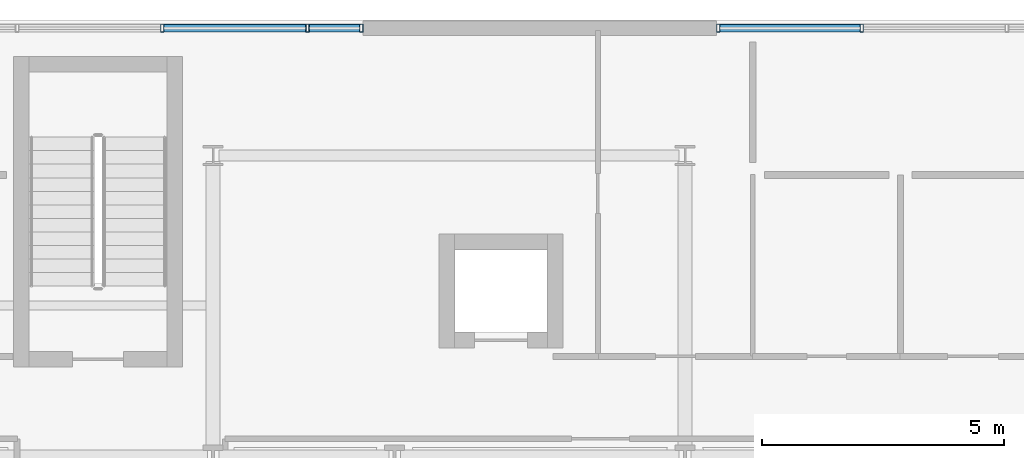
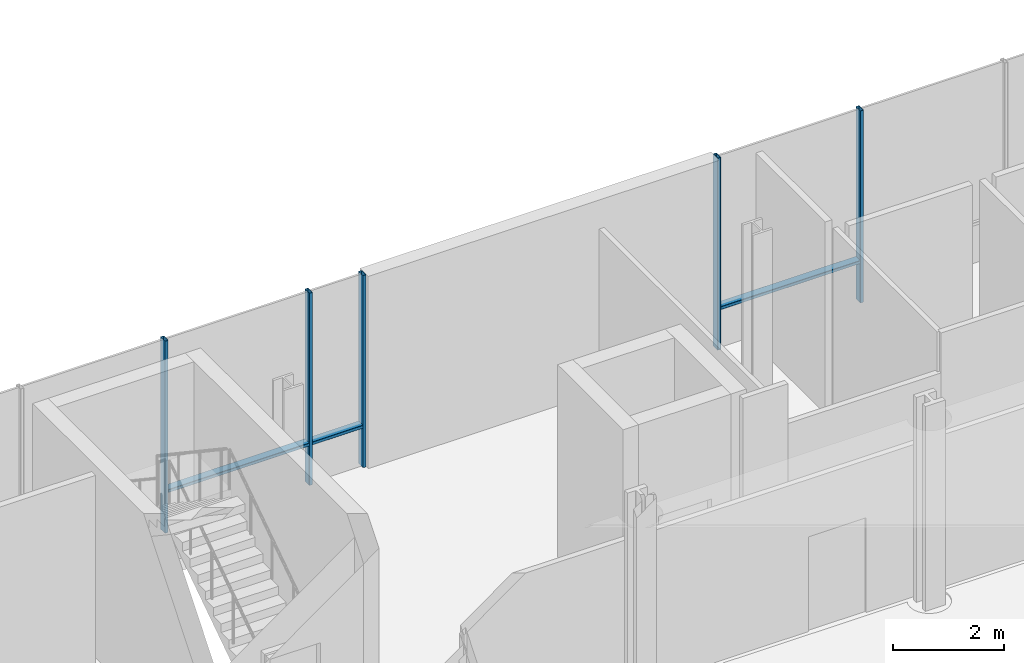
# One storey, part 11 of 25: 8 members, 2 elements without a shape of their own.
"""IFC4 building model written with IfcOpenShell, lengths in metres."""

import ifcopenshell
import ifcopenshell.guid

model = None  # the IFC model being written
_history = None  # IfcOwnerHistory: only IFC2X3 demands one
_inside = {}  # id of a spatial element -> (the spatial element, [elements in it])
_under = {}  # id of a project, library or spatial element -> (it, [spatial elements below it])
_declared = {}  # id of a project -> (the project, [libraries it declares])
_typed = {}  # id of a type object -> (the type object, [elements of that type])
_made_of = {}  # id of a material, layer set ... -> (it, [elements and type objects made of it])


def new_model(schema):
    """Start an empty IFC model of exactly this schema.

    Asked for "IFC4X3", IfcOpenShell would pick the latest addendum, in which some entities
    have other attributes; the version numbers below select the first issue.
    IFC2X3 requires an IfcOwnerHistory on every rooted entity: one is made here for all.
    """
    global model, _history
    if schema == "IFC4X3":
        model = ifcopenshell.file(schema_version=(4, 3, 0, 0))
    else:
        model = ifcopenshell.file(schema=schema)
    _inside.clear()
    _under.clear()
    _declared.clear()
    _typed.clear()
    _made_of.clear()
    _history = None
    if model.schema == "IFC2X3":
        org = make("IfcOrganization", Name="unknown")
        user = make(
            "IfcPersonAndOrganization",
            ThePerson=make("IfcPerson", FamilyName="unknown"),
            TheOrganization=org,
        )
        app = make(
            "IfcApplication",
            ApplicationDeveloper=org,
            Version="unknown",
            ApplicationFullName="unknown",
            ApplicationIdentifier="unknown",
        )
        _history = make(
            "IfcOwnerHistory",
            OwningUser=user,
            OwningApplication=app,
            ChangeAction="ADDED",
            CreationDate=0,
        )
    return model


def make(cls, **values):
    """One entity of the class cls with the attributes given. An attribute that is None is left unset."""
    return model.create_entity(
        cls, **{name: value for name, value in values.items() if value is not None}
    )


def rooted(cls, **values):
    """An entity with a GlobalId (a new one), such as an element, a storey or a relation."""
    return make(cls, GlobalId=ifcopenshell.guid.new(), OwnerHistory=_history, **values)


def si_unit(unit_type, name, prefix=None):
    """IfcSIUnit, for example si_unit("LENGTHUNIT", "METRE", prefix="MILLI")."""
    return make("IfcSIUnit", UnitType=unit_type, Prefix=prefix, Name=name)


def assignment(units):
    """IfcUnitAssignment: the units of a project."""
    return None if units is None else make("IfcUnitAssignment", Units=units)


def point(xyz):
    """IfcCartesianPoint."""
    return None if xyz is None else make("IfcCartesianPoint", Coordinates=xyz)


def direction(xyz):
    """IfcDirection."""
    return None if xyz is None else make("IfcDirection", DirectionRatios=xyz)


def frame(location, z_axis=None, x_axis=None):
    """IfcAxis2Placement3D, a coordinate frame: its origin and axes. An axis left out is left unset."""
    return make(
        "IfcAxis2Placement3D",
        Location=point(location),
        Axis=direction(z_axis),
        RefDirection=direction(x_axis),
    )


def frame_2d(location, x_axis=None):
    """IfcAxis2Placement2D, a coordinate frame in the plane: its origin and x axis."""
    return make(
        "IfcAxis2Placement2D", Location=point(location), RefDirection=direction(x_axis)
    )


def origin():
    """The frame at (0, 0, 0) with its axes left unset."""
    return frame((0.0, 0.0, 0.0))


def origin_2d():
    """The frame at (0, 0) in the plane with its x axis left unset."""
    return frame_2d((0.0, 0.0))


def place(relative_to, where):
    """IfcLocalPlacement: puts the frame where relative to a parent placement (None: the world)."""
    return make(
        "IfcLocalPlacement", PlacementRelTo=relative_to, RelativePlacement=where
    )


def context(
    kind, dimensions, precision=None, world=None, true_north=None, identifier=None
):
    """IfcGeometricRepresentationContext, for example the 3D "Model" context."""
    return make(
        "IfcGeometricRepresentationContext",
        ContextIdentifier=identifier,
        ContextType=kind,
        CoordinateSpaceDimension=dimensions,
        Precision=precision,
        WorldCoordinateSystem=world,
        TrueNorth=true_north,
    )


def subcontext(parent, identifier, kind, view, scale=None):
    """IfcGeometricRepresentationSubContext, for example "Body" below "Model"."""
    return make(
        "IfcGeometricRepresentationSubContext",
        ContextIdentifier=identifier,
        ContextType=kind,
        ParentContext=parent,
        TargetScale=scale,
        TargetView=view,
    )


def project(units=None, contexts=None):
    """IfcProject with its units and contexts."""
    return rooted(
        "IfcProject",
        Name="project",
        RepresentationContexts=contexts,
        UnitsInContext=assignment(units),
    )


def spatial(cls, under=None, at=None, **own):
    """A site, building, storey or space (cls), placed at a placement, below another one or the project."""
    s = rooted(cls, ObjectPlacement=at, **own)
    if under is not None:
        _under.setdefault(under.id(), (under, []))[1].append(s)
    return s


def profile(cls, at=None, kind="AREA", **sizes):
    """A parametric profile (cls). Its sizes go by their IFC names, for example OverallWidth=200.0."""
    return make(cls, ProfileType=kind, Position=at, **sizes)


def hollow_rectangle(**sizes):
    """IfcRectangleHollowProfileDef."""
    return profile("IfcRectangleHollowProfileDef", **sizes)


def extrude(swept, where, along, depth):
    """IfcExtrudedAreaSolid: the profile swept, set in the frame where, extruded along a direction by depth."""
    return make(
        "IfcExtrudedAreaSolid",
        SweptArea=swept,
        Position=where,
        ExtrudedDirection=direction(along),
        Depth=depth,
    )


def shape(context_of_items, identifier, shape_type, items):
    """IfcShapeRepresentation: the items that make up one representation, for example the "Body"."""
    return make(
        "IfcShapeRepresentation",
        ContextOfItems=context_of_items,
        RepresentationIdentifier=identifier,
        RepresentationType=shape_type,
        Items=items,
    )


def material(Name=None, Category=None):
    """IfcMaterial."""
    return make("IfcMaterial", Name=Name, Category=Category)


def layer(
    of_material, thickness, ventilated=None, Name=None, Category=None, Priority=None
):
    """IfcMaterialLayer: one layer of a wall or slab, of a material (None: an air gap)."""
    return make(
        "IfcMaterialLayer",
        Material=of_material,
        LayerThickness=thickness,
        IsVentilated=ventilated,
        Name=Name,
        Category=Category,
        Priority=Priority,
    )


def layer_set(layers, Name=None):
    """IfcMaterialLayerSet."""
    return make("IfcMaterialLayerSet", MaterialLayers=layers, LayerSetName=Name)


def material_profile(
    of_material, cross_section, Name=None, Category=None, Priority=None
):
    """IfcMaterialProfile: a cross section and its material."""
    return make(
        "IfcMaterialProfile",
        Name=Name,
        Material=of_material,
        Profile=cross_section,
        Priority=Priority,
        Category=Category,
    )


def profile_set(profiles, Name=None, composite=None):
    """IfcMaterialProfileSet."""
    return make(
        "IfcMaterialProfileSet",
        Name=Name,
        MaterialProfiles=profiles,
        CompositeProfile=composite,
    )


def made_of(thing, what):
    """Note that an element or type object is made of a material, layer set ...; save() writes the relation."""
    if what is not None:
        _made_of.setdefault(what.id(), (what, []))[1].append(thing)
    return thing


def type_object(cls, material=None, **own):
    """A type object (cls), such as IfcWallType, which elements share."""
    return made_of(rooted(cls, **own), material)


def element(
    cls,
    number,
    at=None,
    inside=None,
    cuts=None,
    type_object=None,
    material=None,
    context=None,
    identifier="Body",
    shape_type=None,
    held_by="IfcProductDefinitionShape",
    body=None,
    shapes=None,
    **own,
):
    """One element of the class cls, such as IfcWall. Its Tag is "e" and its number.

    at: its placement. inside: the storey or other place that contains it. cuts: it is an
    opening in that element (IfcRelVoidsElement). A single representation is given by context,
    identifier, shape_type and body (its items); several are given by shapes. held_by: the class
    of the entity that holds the representations. save() writes the other relations.
    """
    e = rooted(cls, Tag="e%d" % number, ObjectPlacement=at, **own)
    if body is not None:
        shapes = [shape(context, identifier, shape_type, body)]
    if shapes is not None:
        e.Representation = make(held_by, Representations=shapes)
    if inside is not None:
        _inside.setdefault(inside.id(), (inside, []))[1].append(e)
    if cuts is not None:
        rooted(
            "IfcRelVoidsElement", RelatingBuildingElement=cuts, RelatedOpeningElement=e
        )
    if type_object is not None:
        _typed.setdefault(type_object.id(), (type_object, []))[1].append(e)
    return made_of(e, material)


def aggregate(whole, parts):
    """IfcRelAggregates: a whole, such as a stair, and the parts it consists of."""
    return rooted("IfcRelAggregates", RelatingObject=whole, RelatedObjects=parts)


def save(model, path):
    """Write the relations noted so far, then the file.

    IfcRelAggregates (storeys below a building ...), IfcRelContainedInSpatialStructure (elements
    in a storey), IfcRelDefinesByType, IfcRelAssociatesMaterial and IfcRelDeclares: one each for
    every whole, place, type object, material and project.
    """
    for whole, parts in _under.values():
        aggregate(whole, parts)
    for where, things in _inside.values():
        rooted(
            "IfcRelContainedInSpatialStructure",
            RelatedElements=things,
            RelatingStructure=where,
        )
    for kind, things in _typed.values():
        rooted("IfcRelDefinesByType", RelatedObjects=things, RelatingType=kind)
    for what, things in _made_of.values():
        rooted("IfcRelAssociatesMaterial", RelatedObjects=things, RelatingMaterial=what)
    for by, libraries in _declared.values():
        rooted("IfcRelDeclares", RelatingContext=by, RelatedDefinitions=libraries)
    model.write(path)


model = new_model("IFC4")

# Units and contexts
model_context = context("Model", 3, precision=1e-05, world=origin(), true_north=direction((0.0, 1.0)))
body_context = subcontext(model_context, "Body", "Model", "MODEL_VIEW")
ifc_project = project(units=[si_unit("LENGTHUNIT", "METRE"), si_unit("AREAUNIT", "SQUARE_METRE"), si_unit("VOLUMEUNIT", "CUBIC_METRE"), si_unit("PLANEANGLEUNIT", "RADIAN"), si_unit("MASSUNIT", "GRAM", prefix="KILO")], contexts=[model_context])

# Site, building, storey
site_placement = place(None, origin())
site = spatial("IfcSite", under=ifc_project, at=site_placement, CompositionType="ELEMENT")
building_placement = place(site_placement, origin())
building = spatial("IfcBuilding", under=site, at=building_placement, Name="Brevholm Reach", CompositionType="ELEMENT")
storey_placement = place(building_placement, frame((0.0, 0.0, 13.5)))
storey = spatial("IfcBuildingStorey", under=building, at=storey_placement, Name="L03", CompositionType="ELEMENT", Elevation=13.5)

# Curtain wall, members
ifc_material_1 = material(Name="Dark Anodised Aluminium 6063-T6 and Solar-Control Glass", Category="aluminium")
ifc_layer = layer(ifc_material_1, 0.1650390625)
ifc_layer_set = layer_set([ifc_layer], Name="Dark Anodised Aluminium 6063-T6 and Solar-Control Glass")
curtain_wall_type = type_object("IfcCurtainWallType", Name="CW-03", PredefinedType="NOTDEFINED", material=ifc_layer_set)
curtain_wall_1_placement = place(storey_placement, origin())
curtain_wall_1 = element("IfcCurtainWall", 1, at=curtain_wall_1_placement, inside=storey, type_object=curtain_wall_type, Name="L03 Curtain Wall CW-03", PredefinedType="NOTDEFINED")
ifc_material_2 = material(Name="Dark Anodised Aluminium 6063-T6", Category="aluminium")
ifc_material_profile_1 = material_profile(ifc_material_2, hollow_rectangle(XDim=0.070068359375, YDim=0.1650390625, WallThickness=0.0048828125, InnerFilletRadius=0.0048828125, OuterFilletRadius=0.010009765625, at=origin_2d()), Name="RHS 165x70x5")
ifc_profile_set_1 = profile_set([ifc_material_profile_1], Name="Dark Anodised Aluminium 6063-T6")
member_type_1 = type_object("IfcMemberType", Name="CWM-165", PredefinedType="MULLION", material=ifc_profile_set_1)
member_1_placement = place(storey_placement, frame((37.199951171875, 39.830078125, 0.0), z_axis=(0.0, 0.0, 1.0), x_axis=(1.0, 0.0, 0.0)))
member_1 = element("IfcMember", 2, at=member_1_placement, type_object=member_type_1, Name="CM-165 Mullion 4", PredefinedType="MULLION", context=body_context, shape_type="SweptSolid", body=[
    extrude(hollow_rectangle(XDim=0.070068359375, YDim=0.1650390625, WallThickness=0.0048828125, InnerFilletRadius=0.0048828125, OuterFilletRadius=0.010009765625, at=origin_2d()), origin(), (0.0, 0.0, 1.0), 4.219970703125),
])
member_2_placement = place(storey_placement, frame((40.199951171875, 39.830078125, 0.0), z_axis=(0.0, 0.0, 1.0), x_axis=(1.0, 0.0, 0.0)))
member_2 = element("IfcMember", 3, at=member_2_placement, type_object=member_type_1, Name="CM-165 Mullion 5", PredefinedType="MULLION", context=body_context, shape_type="SweptSolid", body=[
    extrude(hollow_rectangle(XDim=0.070068359375, YDim=0.1650390625, WallThickness=0.0048828125, InnerFilletRadius=0.0048828125, OuterFilletRadius=0.010009765625, at=origin_2d()), origin(), (0.0, 0.0, 1.0), 4.219970703125),
])
member_3_placement = place(storey_placement, frame((41.31494140625, 39.830078125, 0.0), z_axis=(0.0, 0.0, 1.0), x_axis=(1.0, 0.0, 0.0)))
member_3 = element("IfcMember", 4, at=member_3_placement, type_object=member_type_1, Name="CM-165 Mullion 6", PredefinedType="MULLION", context=body_context, shape_type="SweptSolid", body=[
    extrude(hollow_rectangle(XDim=0.070068359375, YDim=0.1650390625, WallThickness=0.0048828125, InnerFilletRadius=0.0048828125, OuterFilletRadius=0.010009765625, at=origin_2d()), origin(), (0.0, 0.0, 1.0), 4.219970703125),
])

curtain_wall_2_placement = place(storey_placement, origin())
curtain_wall_2 = element("IfcCurtainWall", 5, at=curtain_wall_2_placement, inside=storey, type_object=curtain_wall_type, Name="L03 Curtain Wall CW-03", PredefinedType="NOTDEFINED")
member_4_placement = place(storey_placement, frame((48.68505859375, 39.830078125, 0.0), z_axis=(0.0, 0.0, 1.0), x_axis=(1.0, 0.0, 0.0)))
member_4 = element("IfcMember", 6, at=member_4_placement, type_object=member_type_1, Name="CM-165 Mullion 1", PredefinedType="MULLION", context=body_context, shape_type="SweptSolid", body=[
    extrude(hollow_rectangle(XDim=0.070068359375, YDim=0.1650390625, WallThickness=0.0048828125, InnerFilletRadius=0.0048828125, OuterFilletRadius=0.010009765625, at=origin_2d()), origin(), (0.0, 0.0, 1.0), 4.219970703125),
])
member_5_placement = place(storey_placement, frame((51.64990234375, 39.830078125, 0.0), z_axis=(0.0, 0.0, 1.0), x_axis=(1.0, 0.0, 0.0)))
member_5 = element("IfcMember", 7, at=member_5_placement, type_object=member_type_1, Name="CM-165 Mullion 2", PredefinedType="MULLION", context=body_context, shape_type="SweptSolid", body=[
    extrude(hollow_rectangle(XDim=0.070068359375, YDim=0.1650390625, WallThickness=0.0048828125, InnerFilletRadius=0.0048828125, OuterFilletRadius=0.010009765625, at=origin_2d()), origin(), (0.0, 0.0, 1.0), 4.219970703125),
])

# Member
ifc_material_3 = material(Name="Dark Anodised Aluminium 6063-T6", Category="aluminium")
ifc_material_profile_2 = material_profile(ifc_material_3, hollow_rectangle(XDim=0.070068359375, YDim=0.1650390625, WallThickness=0.0048828125, InnerFilletRadius=0.0048828125, OuterFilletRadius=0.010009765625, at=origin_2d()), Name="RHS 165x70x5")
ifc_profile_set_2 = profile_set([ifc_material_profile_2], Name="Dark Anodised Aluminium 6063-T6")
member_type_2 = type_object("IfcMemberType", Name="CWT-165", PredefinedType="NOTDEFINED", material=ifc_profile_set_2)
member_6_placement = place(storey_placement, frame((37.235107421875, 39.830078125, 0.89990234375), z_axis=(1.0, 0.0, 0.0), x_axis=(0.0, 0.0, 1.0)))
member_6 = element("IfcMember", 8, at=member_6_placement, type_object=member_type_2, Name="CT-165 Transom 4.1", ObjectType="TRANSOM", PredefinedType="USERDEFINED", context=body_context, shape_type="SweptSolid", body=[
    extrude(hollow_rectangle(XDim=0.070068359375, YDim=0.1650390625, WallThickness=0.0048828125, InnerFilletRadius=0.0048828125, OuterFilletRadius=0.010009765625, at=origin_2d()), origin(), (0.0, 0.0, 1.0), 2.929931640625),
])

member_7_placement = place(storey_placement, frame((40.235107421875, 39.830078125, 0.89990234375), z_axis=(1.0, 0.0, 0.0), x_axis=(0.0, 0.0, 1.0)))
member_7 = element("IfcMember", 9, at=member_7_placement, type_object=member_type_2, Name="CT-165 Transom 5.1", ObjectType="TRANSOM", PredefinedType="USERDEFINED", context=body_context, shape_type="SweptSolid", body=[
    extrude(hollow_rectangle(XDim=0.070068359375, YDim=0.1650390625, WallThickness=0.0048828125, InnerFilletRadius=0.0048828125, OuterFilletRadius=0.010009765625, at=origin_2d()), origin(), (0.0, 0.0, 1.0), 1.044921875),
])

aggregate(curtain_wall_1, [member_1, member_2, member_3, member_6, member_7])

member_8_placement = place(storey_placement, frame((48.719970703125, 39.830078125, 0.89990234375), z_axis=(1.0, 0.0, 0.0), x_axis=(0.0, 0.0, 1.0)))
member_8 = element("IfcMember", 10, at=member_8_placement, type_object=member_type_2, Name="CT-165 Transom 1.1", ObjectType="TRANSOM", PredefinedType="USERDEFINED", context=body_context, shape_type="SweptSolid", body=[
    extrude(hollow_rectangle(XDim=0.070068359375, YDim=0.1650390625, WallThickness=0.0048828125, InnerFilletRadius=0.0048828125, OuterFilletRadius=0.010009765625, at=origin_2d()), origin(), (0.0, 0.0, 1.0), 2.89501953125),
])

aggregate(curtain_wall_2, [member_4, member_5, member_8])

save(model, "model.ifc")
